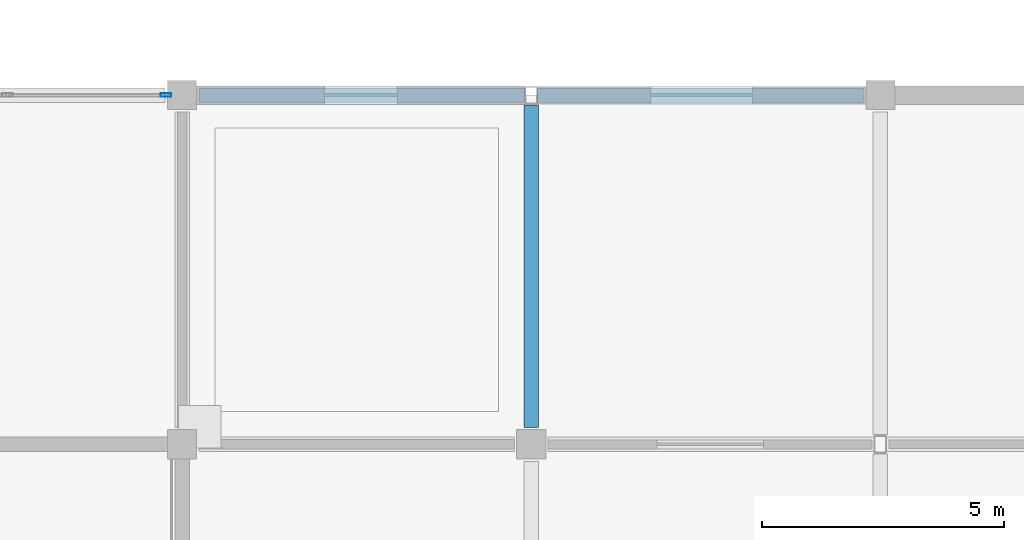
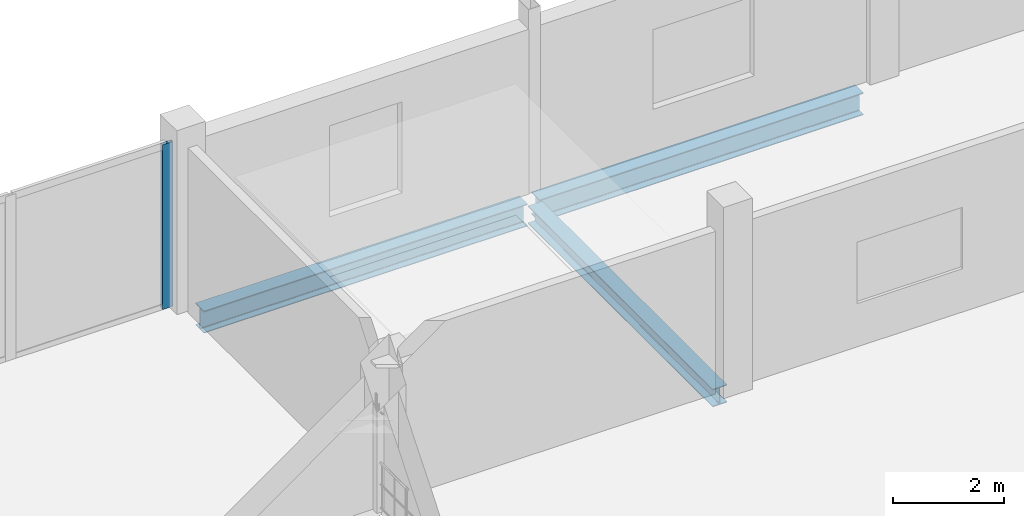
# One storey, part 15 of 51: 3 beams, 1 member, 1 element without a shape of its own.
"""IFC4 building model written with IfcOpenShell, lengths in metres."""

from ifc_helpers import new_model, si_unit, direction, frame, origin, origin_2d, place, context, subcontext, project, spatial, hollow_rectangle, i_section, extrude, material, material_profile, profile_set, type_object, element, aggregate, save


model = new_model("IFC4")

# Units and contexts
model_context = context("Model", 3, precision=1e-05, world=origin(), true_north=direction((0.0, 1.0)))
body_context = subcontext(model_context, "Body", "Model", "MODEL_VIEW")
ifc_project = project(units=[si_unit("LENGTHUNIT", "METRE"), si_unit("AREAUNIT", "SQUARE_METRE"), si_unit("VOLUMEUNIT", "CUBIC_METRE"), si_unit("PLANEANGLEUNIT", "RADIAN"), si_unit("MASSUNIT", "GRAM", prefix="KILO")], contexts=[model_context])

# Site, building, storey
site_placement = place(None, origin())
site = spatial("IfcSite", under=ifc_project, at=site_placement, CompositionType="ELEMENT")
building_placement = place(site_placement, origin())
building = spatial("IfcBuilding", under=site, at=building_placement, Name="Vesperath Aquatics Centre", CompositionType="ELEMENT")
storey_placement = place(building_placement, frame((0.0, 0.0, 15.0)))
storey = spatial("IfcBuildingStorey", under=building, at=storey_placement, Name="L03", CompositionType="ELEMENT", Elevation=15.0)

# Beams
ifc_material_1 = material(Name="Steel Q355C", Category="steel")
ifc_material_profile_1 = material_profile(ifc_material_1, i_section(OverallWidth=0.300048828125, OverallDepth=0.488037109375, WebThickness=0.010986328125, FlangeThickness=0.01806640625, FilletRadius=0.02587890625, at=origin_2d()), Name="HM 488x300x11x18")
ifc_profile_set_1 = profile_set([ifc_material_profile_1], Name="Steel Q355C")
beam_type_1 = type_object("IfcBeamType", Name="BM-G10", PredefinedType="BEAM", material=ifc_profile_set_1)
beam_1_placement = place(storey_placement, frame((122.75, 43.199951171875, -0.48388671875), z_axis=(1.0, 0.0, 0.0), x_axis=(0.0, 1.0, 0.0)))
element("IfcBeam", 1, at=beam_1_placement, inside=storey, type_object=beam_type_1, Name="Floor Girder B10 L03 G 18-19", PredefinedType="BEAM", context=body_context, shape_type="SweptSolid", body=[
    extrude(i_section(OverallWidth=0.300048828125, OverallDepth=0.488037109375, WebThickness=0.010986328125, FlangeThickness=0.01806640625, FilletRadius=0.02587890625, at=origin_2d()), origin(), (0.0, 0.0, 1.0), 6.72509765625),
])
beam_2_placement = place(storey_placement, frame((129.72509765625, 43.199951171875, -0.48388671875), z_axis=(1.0, 0.0, 0.0), x_axis=(0.0, 1.0, 0.0)))
element("IfcBeam", 2, at=beam_2_placement, inside=storey, type_object=beam_type_1, Name="Floor Girder B10 L03 G 19-20", PredefinedType="BEAM", context=body_context, shape_type="SweptSolid", body=[
    extrude(i_section(OverallWidth=0.300048828125, OverallDepth=0.488037109375, WebThickness=0.010986328125, FlangeThickness=0.01806640625, FilletRadius=0.02587890625, at=origin_2d()), origin(), (0.0, 0.0, 1.0), 6.724853515625),
])
ifc_material_profile_2 = material_profile(ifc_material_1, i_section(OverallWidth=0.300048828125, OverallDepth=0.389892578125, WebThickness=0.010009765625, FlangeThickness=0.01611328125, FilletRadius=0.02197265625, at=origin_2d()), Name="HM 390x300x10x16")
ifc_profile_set_2 = profile_set([ifc_material_profile_2], Name="Steel Q355C")
beam_type_2 = type_object("IfcBeamType", Name="BM-G11", PredefinedType="BEAM", material=ifc_profile_set_2)
beam_3_placement = place(storey_placement, frame((129.60009765625, 36.35009765625, -0.43505859375), z_axis=(0.0, 1.0, 0.0), x_axis=(-1.0, 0.0, 0.0)))
element("IfcBeam", 3, at=beam_3_placement, inside=storey, type_object=beam_type_2, Name="Floor Girder B11 L03 19 F-G", PredefinedType="BEAM", context=body_context, shape_type="SweptSolid", body=[
    extrude(i_section(OverallWidth=0.300048828125, OverallDepth=0.389892578125, WebThickness=0.010009765625, FlangeThickness=0.01611328125, FilletRadius=0.02197265625, at=origin_2d()), origin(), (0.0, 0.0, 1.0), 6.64990234375),
])

# Curtain wall, member
ifc_material_2 = material(Name="Thermally broken anodised bronze aluminium curtain wall", Category="aluminium")
curtain_wall_type = type_object("IfcCurtainWallType", Name="CW-07", PredefinedType="NOTDEFINED", material=ifc_material_2)
curtain_wall_placement = place(storey_placement, origin())
curtain_wall = element("IfcCurtainWall", 4, at=curtain_wall_placement, inside=storey, type_object=curtain_wall_type, Name="Facade Curtain Wall CW07 L03_N_16_06", PredefinedType="NOTDEFINED")
ifc_material_3 = material(Name="Thermally broken anodised aluminium", Category="aluminium")
ifc_material_profile_3 = material_profile(ifc_material_3, hollow_rectangle(XDim=0.070068359375, YDim=0.219970703125, WallThickness=0.0048828125, at=origin_2d()), Name="CWM 70x220x5")
ifc_profile_set_3 = profile_set([ifc_material_profile_3], Name="Thermally broken anodised aluminium")
member_type = type_object("IfcMemberType", Name="MB-CWM2", PredefinedType="MULLION", material=ifc_profile_set_3)
member_placement = place(storey_placement, frame((122.06494140625, 43.199951171875, 0.0), z_axis=(0.0, 0.0, 1.0), x_axis=(0.0, 1.0, 0.0)))
member = element("IfcMember", 5, at=member_placement, type_object=member_type, Name="CW07 mullion 3", PredefinedType="MULLION", context=body_context, shape_type="SweptSolid", body=[
    extrude(hollow_rectangle(XDim=0.070068359375, YDim=0.219970703125, WallThickness=0.0048828125, at=origin_2d()), origin(), (0.0, 0.0, 1.0), 3.6201171875),
])
aggregate(curtain_wall, [member])

save(model, "model.ifc")
